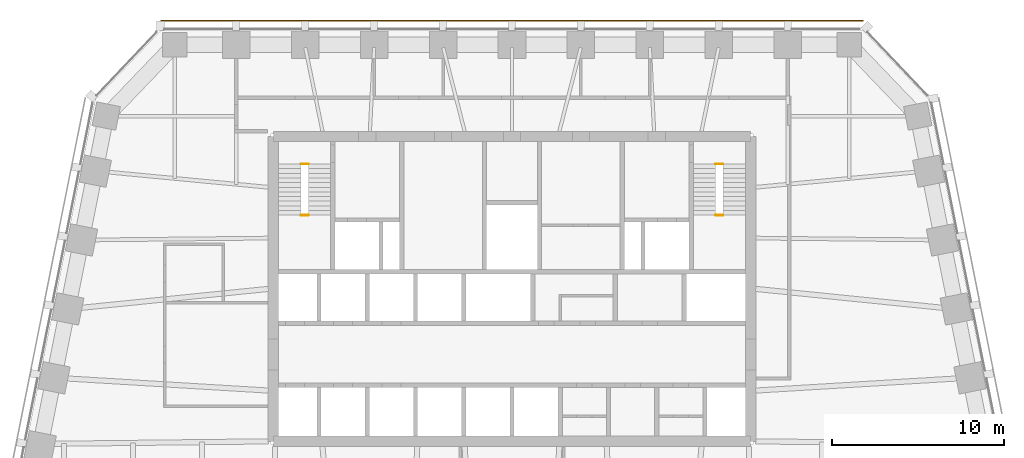
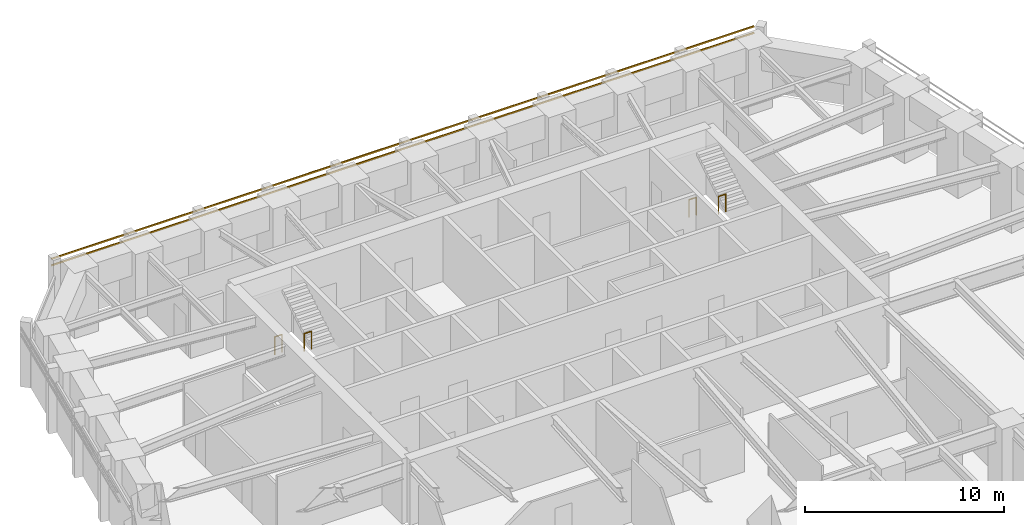
# One storey, part 10 of 10: 4 railings, 2 shading devices.
"""IFC4 building model written with IfcOpenShell, lengths in metres."""

from ifc_helpers import new_model, si_unit, direction, frame, origin, origin_2d, place, context, subcontext, project, spatial, rectangle, circle, extrude, material, material_profile, profile_set, type_object, element, save


model = new_model("IFC4")

# Units and contexts
model_context = context("Model", 3, precision=1e-05, world=origin(), true_north=direction((0.0, 1.0)))
body_context = subcontext(model_context, "Body", "Model", "MODEL_VIEW")
ifc_project = project(units=[si_unit("LENGTHUNIT", "METRE"), si_unit("AREAUNIT", "SQUARE_METRE"), si_unit("VOLUMEUNIT", "CUBIC_METRE"), si_unit("PLANEANGLEUNIT", "RADIAN"), si_unit("MASSUNIT", "GRAM", prefix="KILO")], contexts=[model_context])

# Site, building, storey
site_placement = place(None, origin())
site = spatial("IfcSite", under=ifc_project, at=site_placement, CompositionType="ELEMENT")
building_placement = place(site_placement, origin())
building = spatial("IfcBuilding", under=site, at=building_placement, Name="Isbrekke Arena Tower", CompositionType="ELEMENT")
storey_placement = place(building_placement, frame((0.0, 0.0, 234.0)))
storey = spatial("IfcBuildingStorey", under=building, at=storey_placement, Name="L54", CompositionType="ELEMENT", Elevation=234.0)

# Shading devices
ifc_material_1 = material(Name="Terracotta", Category="masonry")
ifc_material_profile = material_profile(ifc_material_1, rectangle(XDim=0.06005859375, YDim=0.06005859375, at=origin_2d()), Name="BAGUETTE 60X60")
ifc_profile_set = profile_set([ifc_material_profile], Name="Terracotta")
shading_device_type = type_object("IfcShadingDeviceType", Name="BG1 TERRACOTTA BAGUETTE 60 x 60", PredefinedType="USERDEFINED", material=ifc_profile_set)
for number, where, z_axis, x_axis, name in (
    (1, (20.39990234375, 30.580078125, 3.280029296875), (-1.0, 0.0, 0.0), (0.0, -1.0, 0.0), "BG1 terracotta baguette N1 L54"),
    (2, (20.39990234375, 30.580078125, 3.679931640625), (-1.0, 0.0, 0.0), (0.0, -1.0, 0.0), "BG1 terracotta baguette N2 L54"),
):
    element("IfcShadingDevice", number, at=place(storey_placement, frame(where, z_axis=z_axis, x_axis=x_axis)), inside=storey, type_object=shading_device_type, Name=name, ObjectType="TERRACOTTA BAGUETTE", PredefinedType="USERDEFINED", context=body_context, shape_type="SweptSolid", body=[
        extrude(rectangle(XDim=0.06005859375, YDim=0.06005859375, at=origin_2d()), origin(), (0.0, 0.0, 1.0), 40.7998046875),
    ])

# Railings
ifc_material_2 = material(Name="Steel stair guard, vertical bars, steel handrail", Category="steel")
railing_type = type_object("IfcRailingType", Name="GR3 STAIR WELL GUARD 1100", PredefinedType="GUARDRAIL", material=ifc_material_2)
for number, where, name in (
    (3, (-12.25, 22.25, 0.0), "GR3 stair well guard ST1 L54"),
    (4, (-12.25, 19.280029296875, 2.0), "GR3 stair well guard ST1 L54"),
    (5, (11.824951171875, 22.25, 0.0), "GR3 stair well guard ST2 L54"),
    (6, (11.824951171875, 19.280029296875, 2.0), "GR3 stair well guard ST2 L54"),
):
    element("IfcRailing", number, at=place(storey_placement, frame(where)), inside=storey, type_object=railing_type, Name=name, PredefinedType="GUARDRAIL", context=body_context, shape_type="SweptSolid", body=[
        extrude(circle(Radius=0.02392578125, at=origin_2d()), frame((0.0, 0.0, 1.076171875), z_axis=(1.0, 0.0, 0.0), x_axis=(0.0, 1.0, 0.0)), (0.0, 0.0, 1.0), 0.425048828125),
        extrude(circle(Radius=0.02099609375, at=origin_2d()), origin(), (0.0, 0.0, 1.0), 1.052001953125),
        extrude(circle(Radius=0.02099609375, at=origin_2d()), frame((0.425048828125, 0.0, 0.0)), (0.0, 0.0, 1.0), 1.052001953125),
    ])

save(model, "model.ifc")
